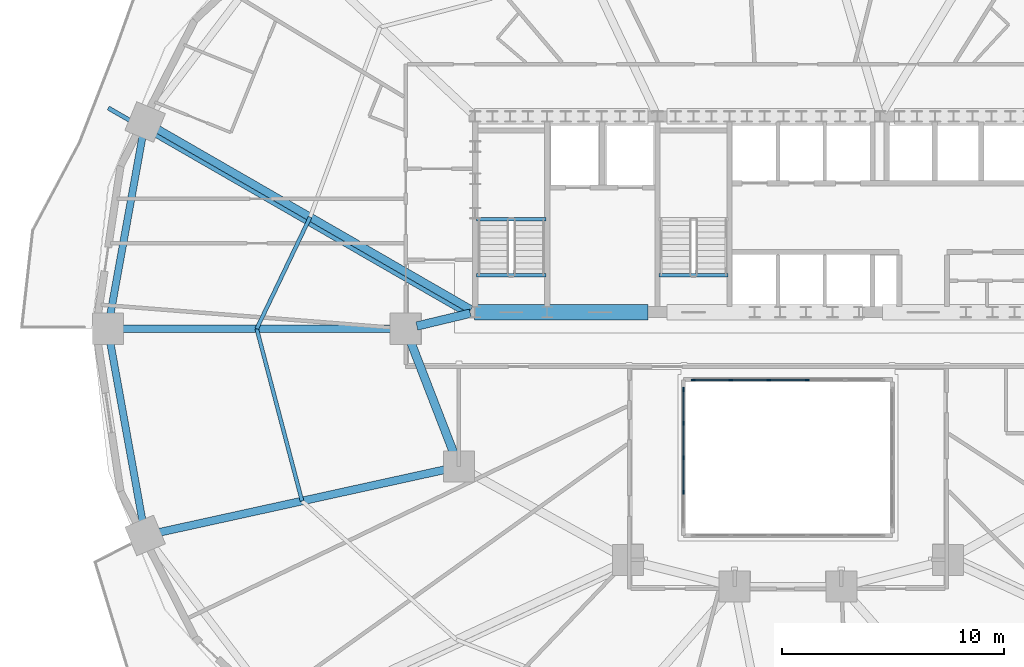
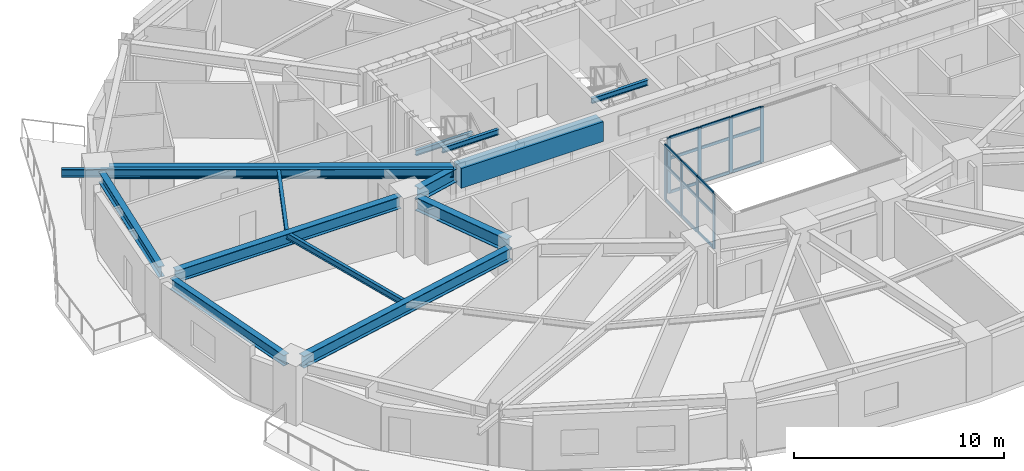
# One storey, part 4 of 17: 26 members, 14 beams, 2 elements without a shape of their own.
"""IFC4 building model written with IfcOpenShell, lengths in metres."""

from ifc_helpers import new_model, si_unit, direction, frame, origin, origin_2d, place, context, subcontext, project, spatial, rectangle, i_section, extrude, material, material_profile, profile_set, type_object, element, aggregate, save


model = new_model("IFC4")

# Units and contexts
model_context = context("Model", 3, precision=1e-05, world=origin(), true_north=direction((0.0, 1.0)))
body_context = subcontext(model_context, "Body", "Model", "MODEL_VIEW")
ifc_project = project(units=[si_unit("LENGTHUNIT", "METRE"), si_unit("AREAUNIT", "SQUARE_METRE"), si_unit("VOLUMEUNIT", "CUBIC_METRE"), si_unit("PLANEANGLEUNIT", "RADIAN"), si_unit("MASSUNIT", "GRAM", prefix="KILO")], contexts=[model_context])

# Site, building, storey
site_placement = place(None, origin())
site = spatial("IfcSite", under=ifc_project, at=site_placement, CompositionType="ELEMENT")
building_placement = place(site_placement, origin())
building = spatial("IfcBuilding", under=site, at=building_placement, Name="Haldorwick Loom Tower", CompositionType="ELEMENT")
storey_placement = place(building_placement, frame((0.0, 0.0, 37.800048828125)))
storey = spatial("IfcBuildingStorey", under=building, at=storey_placement, Name="L09", CompositionType="ELEMENT", Elevation=37.800048828125)

# Curtain wall, members
ifc_material_1 = material(Name="Thermally Broken Anodized Aluminium Curtain Wall Framing", Category="aluminium")
curtain_wall_type = type_object("IfcCurtainWallType", Name="ARC-CW-03", PredefinedType="NOTDEFINED", material=ifc_material_1)
curtain_wall_1_placement = place(storey_placement, origin())
curtain_wall_1 = element("IfcCurtainWall", 1, at=curtain_wall_1_placement, inside=storey, type_object=curtain_wall_type, Name="L09 Atrium Glazed Screen N", PredefinedType="NOTDEFINED")
ifc_material_profile_1 = material_profile(ifc_material_1, rectangle(XDim=0.06591796875, YDim=0.18505859375, at=origin_2d()), Name="ALU_MUL_66X185", Category="aluminium")
ifc_profile_set_1 = profile_set([ifc_material_profile_1], Name="Thermally Broken Anodized Aluminium Curtain Wall Framing")
member_type_1 = type_object("IfcMemberType", Name="ARC-CWM-03", PredefinedType="MULLION", material=ifc_profile_set_1)
member_1_placement = place(storey_placement, frame((31.73291015625, 23.699951171875, 0.0), z_axis=(0.0, 0.0, 1.0), x_axis=(0.0, 1.0, 0.0)))
member_1 = element("IfcMember", 2, at=member_1_placement, type_object=member_type_1, Name="CW-03 mullion 1", PredefinedType="MULLION", context=body_context, shape_type="SweptSolid", body=[
    extrude(rectangle(XDim=0.06591796875, YDim=0.18505859375, at=origin_2d()), origin(), (0.0, 0.0, 1.0), 3.2099609375),
])
member_2_placement = place(storey_placement, frame((33.419921875, 23.699951171875, 0.0), z_axis=(0.0, 0.0, 1.0), x_axis=(0.0, 1.0, 0.0)))
member_2 = element("IfcMember", 3, at=member_2_placement, type_object=member_type_1, Name="CW-03 mullion 2", PredefinedType="MULLION", context=body_context, shape_type="SweptSolid", body=[
    extrude(rectangle(XDim=0.06591796875, YDim=0.18505859375, at=origin_2d()), origin(), (0.0, 0.0, 1.0), 3.2099609375),
])
member_3_placement = place(storey_placement, frame((35.139892578125, 23.699951171875, 0.0), z_axis=(0.0, 0.0, 1.0), x_axis=(0.0, 1.0, 0.0)))
member_3 = element("IfcMember", 4, at=member_3_placement, type_object=member_type_1, Name="CW-03 mullion 3", PredefinedType="MULLION", context=body_context, shape_type="SweptSolid", body=[
    extrude(rectangle(XDim=0.06591796875, YDim=0.18505859375, at=origin_2d()), origin(), (0.0, 0.0, 1.0), 3.2099609375),
])
member_4_placement = place(storey_placement, frame((36.860107421875, 23.699951171875, 0.0), z_axis=(0.0, 0.0, 1.0), x_axis=(0.0, 1.0, 0.0)))
member_4 = element("IfcMember", 5, at=member_4_placement, type_object=member_type_1, Name="CW-03 mullion 4", PredefinedType="MULLION", context=body_context, shape_type="SweptSolid", body=[
    extrude(rectangle(XDim=0.06591796875, YDim=0.18505859375, at=origin_2d()), origin(), (0.0, 0.0, 1.0), 3.2099609375),
])

curtain_wall_2_placement = place(storey_placement, origin())
curtain_wall_2 = element("IfcCurtainWall", 6, at=curtain_wall_2_placement, inside=storey, type_object=curtain_wall_type, Name="L09 Atrium Glazed Screen W", PredefinedType="NOTDEFINED")
member_5_placement = place(storey_placement, frame((31.300048828125, 18.64990234375, 0.0), z_axis=(0.0, 0.0, 1.0), x_axis=(-1.0, 0.0, 0.0)))
member_5 = element("IfcMember", 7, at=member_5_placement, type_object=member_type_1, Name="CW-03 mullion 2", PredefinedType="MULLION", context=body_context, shape_type="SweptSolid", body=[
    extrude(rectangle(XDim=0.06591796875, YDim=0.18505859375, at=origin_2d()), origin(), (0.0, 0.0, 1.0), 3.2099609375),
])
member_6_placement = place(storey_placement, frame((31.300048828125, 20.199951171875, 0.0), z_axis=(0.0, 0.0, 1.0), x_axis=(-1.0, 0.0, 0.0)))
member_6 = element("IfcMember", 8, at=member_6_placement, type_object=member_type_1, Name="CW-03 mullion 3", PredefinedType="MULLION", context=body_context, shape_type="SweptSolid", body=[
    extrude(rectangle(XDim=0.06591796875, YDim=0.18505859375, at=origin_2d()), origin(), (0.0, 0.0, 1.0), 3.2099609375),
])
member_7_placement = place(storey_placement, frame((31.300048828125, 21.75, 0.0), z_axis=(0.0, 0.0, 1.0), x_axis=(-1.0, 0.0, 0.0)))
member_7 = element("IfcMember", 9, at=member_7_placement, type_object=member_type_1, Name="CW-03 mullion 4", PredefinedType="MULLION", context=body_context, shape_type="SweptSolid", body=[
    extrude(rectangle(XDim=0.06591796875, YDim=0.18505859375, at=origin_2d()), origin(), (0.0, 0.0, 1.0), 3.2099609375),
])
member_8_placement = place(storey_placement, frame((31.300048828125, 23.26708984375, 0.0), z_axis=(0.0, 0.0, 1.0), x_axis=(-1.0, 0.0, 0.0)))
member_8 = element("IfcMember", 10, at=member_8_placement, type_object=member_type_1, Name="CW-03 mullion 5", PredefinedType="MULLION", context=body_context, shape_type="SweptSolid", body=[
    extrude(rectangle(XDim=0.06591796875, YDim=0.18505859375, at=origin_2d()), origin(), (0.0, 0.0, 1.0), 3.2099609375),
])

# Member
ifc_material_profile_2 = material_profile(ifc_material_1, rectangle(XDim=0.06591796875, YDim=0.1650390625, at=origin_2d()), Name="ALU_TRN_66X165", Category="aluminium")
ifc_profile_set_2 = profile_set([ifc_material_profile_2], Name="Thermally Broken Anodized Aluminium Curtain Wall Framing")
member_type_2 = type_object("IfcMemberType", Name="ARC-CWT-03", PredefinedType="USERDEFINED", material=ifc_profile_set_2)
member_9_placement = place(storey_placement, frame((31.76611328125, 23.699951171875, 0.032958984375), z_axis=(1.0, 0.0, 0.0), x_axis=(0.0, 1.0, 0.0)))
member_9 = element("IfcMember", 11, at=member_9_placement, type_object=member_type_2, Name="CW-03 transom 1.1", ObjectType="TRANSOM", PredefinedType="USERDEFINED", context=body_context, shape_type="SweptSolid", body=[
    extrude(rectangle(XDim=0.06591796875, YDim=0.1650390625, at=origin_2d()), origin(), (0.0, 0.0, 1.0), 1.620849609375),
])

member_10_placement = place(storey_placement, frame((31.76611328125, 23.699951171875, 2.0), z_axis=(1.0, 0.0, 0.0), x_axis=(0.0, 1.0, 0.0)))
member_10 = element("IfcMember", 12, at=member_10_placement, type_object=member_type_2, Name="CW-03 transom 1.2", ObjectType="TRANSOM", PredefinedType="USERDEFINED", context=body_context, shape_type="SweptSolid", body=[
    extrude(rectangle(XDim=0.06591796875, YDim=0.1650390625, at=origin_2d()), origin(), (0.0, 0.0, 1.0), 1.620849609375),
])

member_11_placement = place(storey_placement, frame((31.76611328125, 23.699951171875, 3.177001953125), z_axis=(1.0, 0.0, 0.0), x_axis=(0.0, 1.0, 0.0)))
member_11 = element("IfcMember", 13, at=member_11_placement, type_object=member_type_2, Name="CW-03 transom 1.3", ObjectType="TRANSOM", PredefinedType="USERDEFINED", context=body_context, shape_type="SweptSolid", body=[
    extrude(rectangle(XDim=0.06591796875, YDim=0.1650390625, at=origin_2d()), origin(), (0.0, 0.0, 1.0), 1.620849609375),
])

member_12_placement = place(storey_placement, frame((33.452880859375, 23.699951171875, 0.032958984375), z_axis=(1.0, 0.0, 0.0), x_axis=(0.0, 1.0, 0.0)))
member_12 = element("IfcMember", 14, at=member_12_placement, type_object=member_type_2, Name="CW-03 transom 2.1", ObjectType="TRANSOM", PredefinedType="USERDEFINED", context=body_context, shape_type="SweptSolid", body=[
    extrude(rectangle(XDim=0.06591796875, YDim=0.1650390625, at=origin_2d()), origin(), (0.0, 0.0, 1.0), 1.654052734375),
])

member_13_placement = place(storey_placement, frame((33.452880859375, 23.699951171875, 2.0), z_axis=(1.0, 0.0, 0.0), x_axis=(0.0, 1.0, 0.0)))
member_13 = element("IfcMember", 15, at=member_13_placement, type_object=member_type_2, Name="CW-03 transom 2.2", ObjectType="TRANSOM", PredefinedType="USERDEFINED", context=body_context, shape_type="SweptSolid", body=[
    extrude(rectangle(XDim=0.06591796875, YDim=0.1650390625, at=origin_2d()), origin(), (0.0, 0.0, 1.0), 1.654052734375),
])

member_14_placement = place(storey_placement, frame((33.452880859375, 23.699951171875, 3.177001953125), z_axis=(1.0, 0.0, 0.0), x_axis=(0.0, 1.0, 0.0)))
member_14 = element("IfcMember", 16, at=member_14_placement, type_object=member_type_2, Name="CW-03 transom 2.3", ObjectType="TRANSOM", PredefinedType="USERDEFINED", context=body_context, shape_type="SweptSolid", body=[
    extrude(rectangle(XDim=0.06591796875, YDim=0.1650390625, at=origin_2d()), origin(), (0.0, 0.0, 1.0), 1.654052734375),
])

member_15_placement = place(storey_placement, frame((35.173095703125, 23.699951171875, 0.032958984375), z_axis=(1.0, 0.0, 0.0), x_axis=(0.0, 1.0, 0.0)))
member_15 = element("IfcMember", 17, at=member_15_placement, type_object=member_type_2, Name="CW-03 transom 3.1", ObjectType="TRANSOM", PredefinedType="USERDEFINED", context=body_context, shape_type="SweptSolid", body=[
    extrude(rectangle(XDim=0.06591796875, YDim=0.1650390625, at=origin_2d()), origin(), (0.0, 0.0, 1.0), 1.65380859375),
])

member_16_placement = place(storey_placement, frame((35.173095703125, 23.699951171875, 2.0), z_axis=(1.0, 0.0, 0.0), x_axis=(0.0, 1.0, 0.0)))
member_16 = element("IfcMember", 18, at=member_16_placement, type_object=member_type_2, Name="CW-03 transom 3.2", ObjectType="TRANSOM", PredefinedType="USERDEFINED", context=body_context, shape_type="SweptSolid", body=[
    extrude(rectangle(XDim=0.06591796875, YDim=0.1650390625, at=origin_2d()), origin(), (0.0, 0.0, 1.0), 1.65380859375),
])

member_17_placement = place(storey_placement, frame((35.173095703125, 23.699951171875, 3.177001953125), z_axis=(1.0, 0.0, 0.0), x_axis=(0.0, 1.0, 0.0)))
member_17 = element("IfcMember", 19, at=member_17_placement, type_object=member_type_2, Name="CW-03 transom 3.3", ObjectType="TRANSOM", PredefinedType="USERDEFINED", context=body_context, shape_type="SweptSolid", body=[
    extrude(rectangle(XDim=0.06591796875, YDim=0.1650390625, at=origin_2d()), origin(), (0.0, 0.0, 1.0), 1.65380859375),
])

aggregate(curtain_wall_1, [member_1, member_2, member_3, member_4, member_9, member_10, member_11, member_12, member_13, member_14, member_15, member_16, member_17])

member_18_placement = place(storey_placement, frame((31.300048828125, 18.68310546875, 0.032958984375), z_axis=(0.0, 1.0, 0.0), x_axis=(-1.0, 0.0, 0.0)))
member_18 = element("IfcMember", 20, at=member_18_placement, type_object=member_type_2, Name="CW-03 transom 2.1", ObjectType="TRANSOM", PredefinedType="USERDEFINED", context=body_context, shape_type="SweptSolid", body=[
    extrude(rectangle(XDim=0.06591796875, YDim=0.1650390625, at=origin_2d()), origin(), (0.0, 0.0, 1.0), 1.48388671875),
])

member_19_placement = place(storey_placement, frame((31.300048828125, 18.68310546875, 2.0), z_axis=(0.0, 1.0, 0.0), x_axis=(-1.0, 0.0, 0.0)))
member_19 = element("IfcMember", 21, at=member_19_placement, type_object=member_type_2, Name="CW-03 transom 2.2", ObjectType="TRANSOM", PredefinedType="USERDEFINED", context=body_context, shape_type="SweptSolid", body=[
    extrude(rectangle(XDim=0.06591796875, YDim=0.1650390625, at=origin_2d()), origin(), (0.0, 0.0, 1.0), 1.48388671875),
])

member_20_placement = place(storey_placement, frame((31.300048828125, 18.68310546875, 3.177001953125), z_axis=(0.0, 1.0, 0.0), x_axis=(-1.0, 0.0, 0.0)))
member_20 = element("IfcMember", 22, at=member_20_placement, type_object=member_type_2, Name="CW-03 transom 2.3", ObjectType="TRANSOM", PredefinedType="USERDEFINED", context=body_context, shape_type="SweptSolid", body=[
    extrude(rectangle(XDim=0.06591796875, YDim=0.1650390625, at=origin_2d()), origin(), (0.0, 0.0, 1.0), 1.48388671875),
])

member_21_placement = place(storey_placement, frame((31.300048828125, 20.23291015625, 0.032958984375), z_axis=(0.0, 1.0, 0.0), x_axis=(-1.0, 0.0, 0.0)))
member_21 = element("IfcMember", 23, at=member_21_placement, type_object=member_type_2, Name="CW-03 transom 3.1", ObjectType="TRANSOM", PredefinedType="USERDEFINED", context=body_context, shape_type="SweptSolid", body=[
    extrude(rectangle(XDim=0.06591796875, YDim=0.1650390625, at=origin_2d()), origin(), (0.0, 0.0, 1.0), 1.484130859375),
])

member_22_placement = place(storey_placement, frame((31.300048828125, 20.23291015625, 2.0), z_axis=(0.0, 1.0, 0.0), x_axis=(-1.0, 0.0, 0.0)))
member_22 = element("IfcMember", 24, at=member_22_placement, type_object=member_type_2, Name="CW-03 transom 3.2", ObjectType="TRANSOM", PredefinedType="USERDEFINED", context=body_context, shape_type="SweptSolid", body=[
    extrude(rectangle(XDim=0.06591796875, YDim=0.1650390625, at=origin_2d()), origin(), (0.0, 0.0, 1.0), 1.484130859375),
])

member_23_placement = place(storey_placement, frame((31.300048828125, 20.23291015625, 3.177001953125), z_axis=(0.0, 1.0, 0.0), x_axis=(-1.0, 0.0, 0.0)))
member_23 = element("IfcMember", 25, at=member_23_placement, type_object=member_type_2, Name="CW-03 transom 3.3", ObjectType="TRANSOM", PredefinedType="USERDEFINED", context=body_context, shape_type="SweptSolid", body=[
    extrude(rectangle(XDim=0.06591796875, YDim=0.1650390625, at=origin_2d()), origin(), (0.0, 0.0, 1.0), 1.484130859375),
])

member_24_placement = place(storey_placement, frame((31.300048828125, 21.782958984375, 0.032958984375), z_axis=(0.0, 1.0, 0.0), x_axis=(-1.0, 0.0, 0.0)))
member_24 = element("IfcMember", 26, at=member_24_placement, type_object=member_type_2, Name="CW-03 transom 4.1", ObjectType="TRANSOM", PredefinedType="USERDEFINED", context=body_context, shape_type="SweptSolid", body=[
    extrude(rectangle(XDim=0.06591796875, YDim=0.1650390625, at=origin_2d()), origin(), (0.0, 0.0, 1.0), 1.450927734375),
])

member_25_placement = place(storey_placement, frame((31.300048828125, 21.782958984375, 2.0), z_axis=(0.0, 1.0, 0.0), x_axis=(-1.0, 0.0, 0.0)))
member_25 = element("IfcMember", 27, at=member_25_placement, type_object=member_type_2, Name="CW-03 transom 4.2", ObjectType="TRANSOM", PredefinedType="USERDEFINED", context=body_context, shape_type="SweptSolid", body=[
    extrude(rectangle(XDim=0.06591796875, YDim=0.1650390625, at=origin_2d()), origin(), (0.0, 0.0, 1.0), 1.450927734375),
])

member_26_placement = place(storey_placement, frame((31.300048828125, 21.782958984375, 3.177001953125), z_axis=(0.0, 1.0, 0.0), x_axis=(-1.0, 0.0, 0.0)))
member_26 = element("IfcMember", 28, at=member_26_placement, type_object=member_type_2, Name="CW-03 transom 4.3", ObjectType="TRANSOM", PredefinedType="USERDEFINED", context=body_context, shape_type="SweptSolid", body=[
    extrude(rectangle(XDim=0.06591796875, YDim=0.1650390625, at=origin_2d()), origin(), (0.0, 0.0, 1.0), 1.450927734375),
])

aggregate(curtain_wall_2, [member_5, member_6, member_7, member_8, member_18, member_19, member_20, member_21, member_22, member_23, member_24, member_25, member_26])

# Beams
ifc_material_2 = material(Name="Steel CSA G40.21 350W", Category="steel")
ifc_material_profile_3 = material_profile(ifc_material_2, i_section(OverallWidth=0.193115234375, OverallDepth=0.466064453125, WebThickness=0.011474609375, FlangeThickness=0.01904296875, at=origin_2d()), Name="W460X97", Category="steel")
ifc_profile_set_3 = profile_set([ifc_material_profile_3], Name="Steel CSA G40.21 350W")
beam_type_1 = type_object("IfcBeamType", Name="STR-BM-BAL460", PredefinedType="BEAM", material=ifc_profile_set_3)
beam_1_placement = place(storey_placement, frame((21.59521484375, 26.61962890625, 2.97705078125), z_axis=(-0.866607024941, 0.49899124674, 0.0), x_axis=(-0.49899124674, -0.866607024941, 0.0)))
element("IfcBeam", 29, at=beam_1_placement, inside=storey, type_object=beam_type_1, Name="L09 Continuous Back-Spanned Balcony Beam 3", PredefinedType="BEAM", context=body_context, shape_type="SweptSolid", body=[
    extrude(i_section(OverallWidth=0.193115234375, OverallDepth=0.466064453125, WebThickness=0.011474609375, FlangeThickness=0.01904296875, at=origin_2d()), origin(), (0.0, 0.0, 1.0), 18.65771484375),
])
ifc_material_3 = material(Name="Concrete C60 (60 MPa)", Category="concrete")
ifc_material_profile_4 = material_profile(ifc_material_3, rectangle(XDim=0.699951171875, YDim=1.14990234375, at=origin_2d()), Name="RC700X1150", Category="concrete")
ifc_profile_set_4 = profile_set([ifc_material_profile_4], Name="Concrete C60 (60 MPa)")
beam_type_2 = type_object("IfcBeamType", Name="STR-BM-CB1150", PredefinedType="LINTEL", material=ifc_profile_set_4)
beam_2_placement = place(storey_placement, frame((21.89990234375, 26.75, 2.635009765625), z_axis=(1.0, 0.0, 0.0), x_axis=(0.0, 1.0, 0.0)))
element("IfcBeam", 30, at=beam_2_placement, inside=storey, type_object=beam_type_2, Name="L09 Core Coupling Beam CB-S1", PredefinedType="LINTEL", context=body_context, shape_type="SweptSolid", body=[
    extrude(rectangle(XDim=0.699951171875, YDim=1.14990234375, at=origin_2d()), origin(), (0.0, 0.0, 1.0), 7.800048828125),
])
ifc_material_profile_5 = material_profile(ifc_material_2, i_section(OverallWidth=0.172119140625, OverallDepth=0.35791015625, WebThickness=0.0078125, FlangeThickness=0.01318359375, at=origin_2d()), Name="W360X57", Category="steel")
ifc_profile_set_5 = profile_set([ifc_material_profile_5], Name="Steel CSA G40.21 350W")
beam_type_3 = type_object("IfcBeamType", Name="STR-BM-J360", PredefinedType="JOIST", material=ifc_profile_set_5)
beam_3_placement = place(storey_placement, frame((14.50634765625, 31.024658203125, 3.031005859375), z_axis=(-0.431630738849, -0.902050389546, 0.0), x_axis=(0.902050389546, -0.431630738849, 0.0)))
element("IfcBeam", 31, at=beam_3_placement, inside=storey, type_object=beam_type_3, Name="L09 Mid-Bay Secondary Joist 8", PredefinedType="JOIST", context=body_context, shape_type="SweptSolid", body=[
    extrude(i_section(OverallWidth=0.172119140625, OverallDepth=0.35791015625, WebThickness=0.0078125, FlangeThickness=0.01318359375, at=origin_2d()), origin(), (0.0, 0.0, 1.0), 5.5703125),
])
beam_4_placement = place(storey_placement, frame((12.10205078125, 26.0, 3.031005859375), z_axis=(0.2544888003, -0.967075721193, 0.0), x_axis=(0.967075721193, 0.2544888003, 0.0)))
element("IfcBeam", 32, at=beam_4_placement, inside=storey, type_object=beam_type_3, Name="L09 Mid-Bay Secondary Joist 9", PredefinedType="JOIST", context=body_context, shape_type="SweptSolid", body=[
    extrude(i_section(OverallWidth=0.172119140625, OverallDepth=0.35791015625, WebThickness=0.0078125, FlangeThickness=0.01318359375, at=origin_2d()), origin(), (0.0, 0.0, 1.0), 8.013427734375),
])
ifc_material_profile_6 = material_profile(ifc_material_2, i_section(OverallWidth=0.324951171875, OverallDepth=0.615966796875, WebThickness=0.013916015625, FlangeThickness=0.021484375, at=origin_2d()), Name="W610X174", Category="steel")
ifc_profile_set_6 = profile_set([ifc_material_profile_6], Name="Steel CSA G40.21 350W")
beam_type_4 = type_object("IfcBeamType", Name="STR-BM-SP610", PredefinedType="SPANDREL", material=ifc_profile_set_6)
for number, where, z_axis, x_axis, name in (
    (33, (6.990234375, 34.78759765625, 2.90185546875), (-0.177641139482, -0.984095333575, 0.0), (0.984095333575, -0.177641139482, 0.0), "L09 Perimeter Spandrel 8"),
    (34, (5.496337890625, 25.48828125, 2.90185546875), (0.177641139482, -0.984095333575, 0.0), (0.984095333575, 0.177641139482, 0.0), "L09 Perimeter Spandrel 9"),
):
    element("IfcBeam", number, at=place(storey_placement, frame(where, z_axis=z_axis, x_axis=x_axis)), inside=storey, type_object=beam_type_4, Name=name, PredefinedType="SPANDREL", context=body_context, shape_type="SweptSolid", body=[
        extrude(i_section(OverallWidth=0.324951171875, OverallDepth=0.615966796875, WebThickness=0.013916015625, FlangeThickness=0.021484375, at=origin_2d()), origin(), (0.0, 0.0, 1.0), 8.40966796875),
    ])
ifc_material_profile_7 = material_profile(ifc_material_2, i_section(OverallWidth=0.166015625, OverallDepth=0.31298828125, WebThickness=0.006591796875, FlangeThickness=0.01123046875, at=origin_2d()), Name="W310X45", Category="steel")
ifc_profile_set_7 = profile_set([ifc_material_profile_7], Name="Steel CSA G40.21 350W")
beam_type_5 = type_object("IfcBeamType", Name="STR-BM-STRM", PredefinedType="BEAM", material=ifc_profile_set_7)
for number, where, z_axis, x_axis, name in (
    (35, (21.989990234375, 28.39990234375, 3.053466796875), (1.0, 0.0, 0.0), (0.0, 1.0, 0.0), "L09 Stair ST-01 Landing Edge Trimmer"),
    (36, (21.989990234375, 30.919921875, 1.368408203125), (1.0, 0.0, 0.0), (0.0, 1.0, 0.0), "L09 Stair ST-01 Half-Landing Trimmer 1"),
    (37, (30.18994140625, 28.39990234375, 3.053466796875), (1.0, 0.0, 0.0), (0.0, 1.0, 0.0), "L09 Stair ST-03 Landing Edge Trimmer"),
):
    element("IfcBeam", number, at=place(storey_placement, frame(where, z_axis=z_axis, x_axis=x_axis)), inside=storey, type_object=beam_type_5, Name=name, PredefinedType="BEAM", context=body_context, shape_type="SweptSolid", body=[
        extrude(i_section(OverallWidth=0.166015625, OverallDepth=0.31298828125, WebThickness=0.006591796875, FlangeThickness=0.01123046875, at=origin_2d()), origin(), (0.0, 0.0, 1.0), 3.1201171875),
    ])
ifc_material_profile_8 = material_profile(ifc_material_2, i_section(OverallWidth=0.35498046875, OverallDepth=0.695068359375, WebThickness=0.015380859375, FlangeThickness=0.02490234375, at=origin_2d()), Name="W690X217", Category="steel")
ifc_profile_set_8 = profile_set([ifc_material_profile_8], Name="Steel CSA G40.21 350W")
beam_type_6 = type_object("IfcBeamType", Name="STR-BM-W690", PredefinedType="BEAM", material=ifc_profile_set_8)
beam_5_placement = place(storey_placement, frame((21.735107421875, 26.8623046875, 2.862548828125), z_axis=(-0.86660566838, 0.498993602696, 0.0), x_axis=(-0.498993602696, -0.86660566838, 0.0)))
element("IfcBeam", 38, at=beam_5_placement, inside=storey, type_object=beam_type_6, Name="L09 Radial Floor Girder 8", PredefinedType="BEAM", context=body_context, shape_type="SweptSolid", body=[
    extrude(i_section(OverallWidth=0.35498046875, OverallDepth=0.695068359375, WebThickness=0.015380859375, FlangeThickness=0.02490234375, at=origin_2d()), origin(), (0.0, 0.0, 1.0), 16.387939453125),
])
beam_6_placement = place(storey_placement, frame((18.280029296875, 26.0, 2.862548828125), z_axis=(-1.0, 0.0, 0.0), x_axis=(0.0, -1.0, 0.0)))
element("IfcBeam", 39, at=beam_6_placement, inside=storey, type_object=beam_type_6, Name="L09 Radial Floor Girder 9", PredefinedType="BEAM", context=body_context, shape_type="SweptSolid", body=[
    extrude(i_section(OverallWidth=0.35498046875, OverallDepth=0.695068359375, WebThickness=0.015380859375, FlangeThickness=0.02490234375, at=origin_2d()), origin(), (0.0, 0.0, 1.0), 12.35595703125),
])
beam_7_placement = place(storey_placement, frame((20.692138671875, 19.6884765625, 2.862548828125), z_axis=(-0.976740159434, -0.214426353203, 0.0), x_axis=(0.214426353203, -0.976740159434, 0.0)))
element("IfcBeam", 40, at=beam_7_placement, inside=storey, type_object=beam_type_6, Name="L09 Radial Floor Girder 10", PredefinedType="BEAM", context=body_context, shape_type="SweptSolid", body=[
    extrude(i_section(OverallWidth=0.35498046875, OverallDepth=0.695068359375, WebThickness=0.015380859375, FlangeThickness=0.02490234375, at=origin_2d()), origin(), (0.0, 0.0, 1.0), 13.41357421875),
])
ifc_material_profile_9 = material_profile(ifc_material_2, i_section(OverallWidth=0.381103515625, OverallDepth=0.77294921875, WebThickness=0.0166015625, FlangeThickness=0.027587890625, at=origin_2d()), Name="W760X257", Category="steel")
ifc_profile_set_9 = profile_set([ifc_material_profile_9], Name="Steel CSA G40.21 350W")
beam_type_7 = type_object("IfcBeamType", Name="STR-BM-W760", PredefinedType="BEAM", material=ifc_profile_set_9)
beam_8_placement = place(storey_placement, frame((21.01220703125, 20.284912109375, 2.823486328125), z_axis=(-0.360964792353, 0.93257944363, 0.0), x_axis=(-0.93257944363, -0.360964792353, 0.0)))
element("IfcBeam", 41, at=beam_8_placement, inside=storey, type_object=beam_type_7, Name="L09 Inner Ring Girder 8", PredefinedType="BEAM", context=body_context, shape_type="SweptSolid", body=[
    extrude(i_section(OverallWidth=0.381103515625, OverallDepth=0.77294921875, WebThickness=0.0166015625, FlangeThickness=0.027587890625, at=origin_2d()), origin(), (0.0, 0.0, 1.0), 5.6083984375),
])
beam_9_placement = place(storey_placement, frame((19.3056640625, 26.12109375, 2.823486328125), z_axis=(0.97247055837, 0.233025777764, 0.0), x_axis=(-0.233025777764, 0.97247055837, 0.0)))
element("IfcBeam", 42, at=beam_9_placement, inside=storey, type_object=beam_type_7, Name="L09 Inner Ring Girder 9", PredefinedType="BEAM", context=body_context, shape_type="SweptSolid", body=[
    extrude(i_section(OverallWidth=0.381103515625, OverallDepth=0.77294921875, WebThickness=0.0166015625, FlangeThickness=0.027587890625, at=origin_2d()), origin(), (0.0, 0.0, 1.0), 2.4736328125),
])

save(model, "model.ifc")
